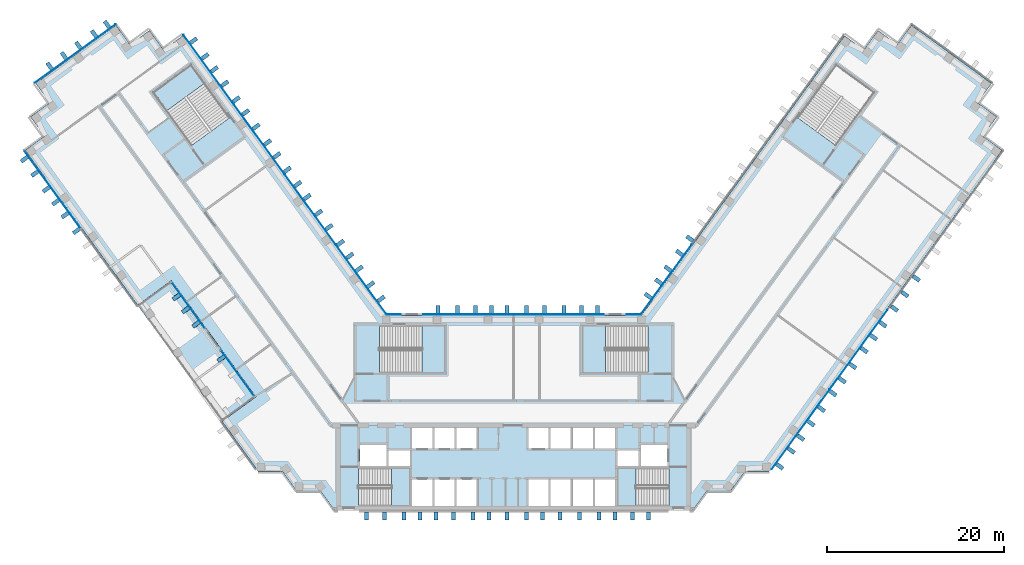
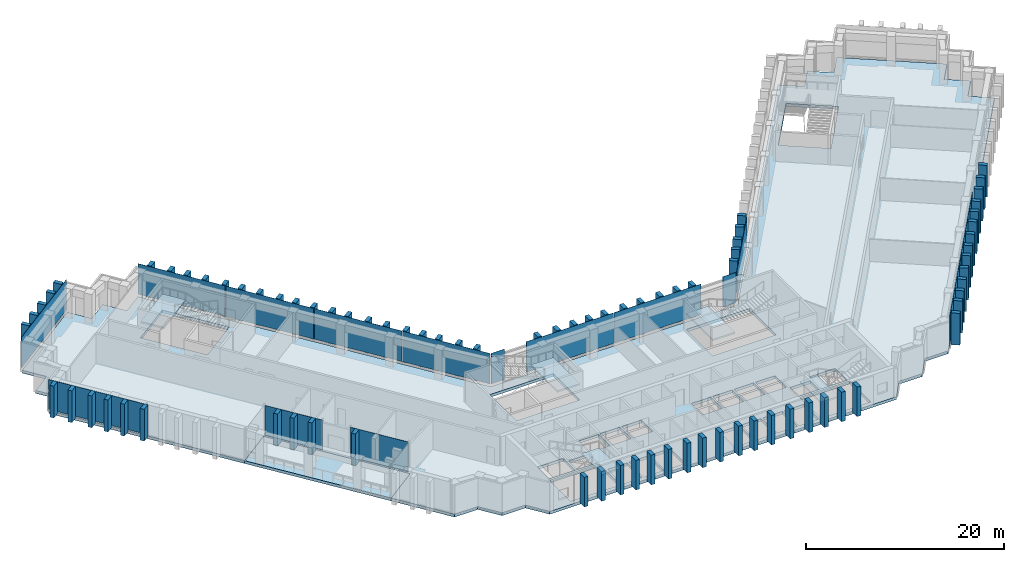
"""IFC4 building model written with IfcOpenShell, lengths in metres."""

from ifc_helpers import new_model, si_unit, direction, frame, origin, origin_2d, place, context, subcontext, project, spatial, polyline, rectangle, outline, extrude, material, layer, layer_set, type_object, element, aggregate, save


model = new_model("IFC4")

# Units and contexts
model_context = context("Model", 3, precision=1e-05, world=origin(), true_north=direction((0.0, 1.0)))
body_context = subcontext(model_context, "Body", "Model", "MODEL_VIEW")
ifc_project = project(units=[si_unit("LENGTHUNIT", "METRE"), si_unit("AREAUNIT", "SQUARE_METRE"), si_unit("VOLUMEUNIT", "CUBIC_METRE"), si_unit("PLANEANGLEUNIT", "RADIAN"), si_unit("MASSUNIT", "GRAM", prefix="KILO")], contexts=[model_context])

# Site, building, storey
site_placement = place(None, origin())
site = spatial("IfcSite", under=ifc_project, at=site_placement, CompositionType="ELEMENT")
building_placement = place(site_placement, origin())
building = spatial("IfcBuilding", under=site, at=building_placement, Name="Quipu Civic Tower", CompositionType="ELEMENT")
storey_1_placement = place(building_placement, frame((0.0, 0.0, 55.0)))
storey_1 = spatial("IfcBuildingStorey", under=building, at=storey_1_placement, Name="L12", CompositionType="ELEMENT", Elevation=55.0)

# Slab
ifc_material_1 = material(Name="Concrete C40/50", Category="concrete")
ifc_layer_1 = layer(ifc_material_1, 0.35009765625)
ifc_layer_set_1 = layer_set([ifc_layer_1], Name="Concrete C40/50")
slab_type_1 = type_object("IfcSlabType", Name="Floor slab 350 C40/50", PredefinedType="FLOOR", material=ifc_layer_set_1)
slab_1_placement = place(storey_1_placement, frame((0.0, 0.0, -0.35009765625)))
element("IfcSlab", 1, at=slab_1_placement, inside=storey_1, type_object=slab_type_1, Name="Floor slab L12", PredefinedType="FLOOR", context=body_context, shape_type="SweptSolid", body=[
    extrude(outline(polyline([(-54.514892578125, 33.389892578125), (-52.3349609375, 34.97509765625), (-53.919921875, 37.159912109375), (-44.860107421875, 43.739990234375), (-43.27001953125, 41.56005859375), (-41.0849609375, 43.14501953125), (-39.5, 40.9599609375), (-37.31494140625, 42.550048828125), (-14.39501953125, 11.0), (14.39501953125, 11.0), (37.31494140625, 42.550048828125), (39.5, 40.9599609375), (41.0849609375, 43.14501953125), (43.27001953125, 41.56005859375), (44.860107421875, 43.739990234375), (53.919921875, 37.159912109375), (52.3349609375, 34.97509765625), (54.514892578125, 33.389892578125), (52.929931640625, 31.205078125), (55.114990234375, 29.614990234375), (28.780029296875, -6.6298828125), (26.080078125, -6.6298828125), (24.489990234375, -8.81494140625), (21.7900390625, -8.81494140625), (20.205078125, -11.0), (-20.205078125, -11.0), (-21.7900390625, -8.81494140625), (-24.489990234375, -8.81494140625), (-26.080078125, -6.6298828125), (-28.780029296875, -6.6298828125), (-32.89501953125, -0.965087890625), (-29.080078125, 1.804931640625), (-38.60498046875, 14.9150390625), (-42.419921875, 12.139892578125), (-55.114990234375, 29.614990234375), (-52.929931640625, 31.205078125), (-54.514892578125, 33.389892578125)]), holes=[polyline([(-11.449951171875, -7.5), (-11.449951171875, -10.5), (-9.14990234375, -10.5), (-9.14990234375, -7.5), (-11.449951171875, -7.5)]), polyline([(-6.64990234375, -7.5), (-8.949951171875, -7.5), (-8.949951171875, -10.5), (-6.64990234375, -10.5), (-6.64990234375, -7.5)]), polyline([(-4.14990234375, -7.5), (-6.449951171875, -7.5), (-6.449951171875, -10.5), (-4.14990234375, -10.5), (-4.14990234375, -7.5)]), polyline([(1.64990234375, -7.5), (1.64990234375, -10.5), (3.949951171875, -10.5), (3.949951171875, -7.5), (1.64990234375, -7.5)]), polyline([(-11.705078125, -10.4951171875), (-11.705078125, -6.2548828125), (-17.4951171875, -6.2548828125), (-17.4951171875, -10.4951171875), (-11.705078125, -10.4951171875)]), polyline([(-11.699951171875, -4.25), (-14.10009765625, -4.25), (-14.10009765625, -6.0), (-11.699951171875, -6.0), (-11.699951171875, -4.25)]), polyline([(-17.35009765625, -3.60009765625), (-17.35009765625, -6.0), (-14.35009765625, -6.0), (-14.35009765625, -3.60009765625), (-17.35009765625, -3.60009765625)]), polyline([(-9.14990234375, -1.699951171875), (-11.449951171875, -1.699951171875), (-11.449951171875, -4.0), (-9.14990234375, -4.0), (-9.14990234375, -1.699951171875)]), polyline([(-6.64990234375, -1.699951171875), (-8.949951171875, -1.699951171875), (-8.949951171875, -4.0), (-6.64990234375, -4.0), (-6.64990234375, -1.699951171875)]), polyline([(-6.449951171875, -1.699951171875), (-6.449951171875, -4.0), (-4.14990234375, -4.0), (-4.14990234375, -1.699951171875), (-6.449951171875, -1.699951171875)]), polyline([(-7.7548828125, 4.5048828125), (-7.7548828125, 9.844970703125), (-15.14501953125, 9.844970703125), (-15.14501953125, 4.5048828125), (-7.7548828125, 4.5048828125)]), polyline([(-36.364990234375, 39.27490234375), (-40.68505859375, 36.135009765625), (-36.344970703125, 30.159912109375), (-32.02490234375, 33.300048828125), (-36.364990234375, 39.27490234375)]), polyline([(4.14990234375, -7.5), (4.14990234375, -10.5), (6.449951171875, -10.5), (6.449951171875, -7.5), (4.14990234375, -7.5)]), polyline([(8.949951171875, -7.5), (6.64990234375, -7.5), (6.64990234375, -10.5), (8.949951171875, -10.5), (8.949951171875, -7.5)]), polyline([(11.449951171875, -7.5), (9.14990234375, -7.5), (9.14990234375, -10.5), (11.449951171875, -10.5), (11.449951171875, -7.5)]), polyline([(11.705078125, -10.4951171875), (17.4951171875, -10.4951171875), (17.4951171875, -6.2548828125), (11.705078125, -6.2548828125), (11.705078125, -10.4951171875)]), polyline([(14.10009765625, -4.25), (11.699951171875, -4.25), (11.699951171875, -6.0), (14.10009765625, -6.0), (14.10009765625, -4.25)]), polyline([(17.35009765625, -3.60009765625), (14.35009765625, -3.60009765625), (14.35009765625, -6.0), (17.35009765625, -6.0), (17.35009765625, -3.60009765625)]), polyline([(1.64990234375, -1.699951171875), (1.64990234375, -4.0), (3.949951171875, -4.0), (3.949951171875, -1.699951171875), (1.64990234375, -1.699951171875)]), polyline([(6.449951171875, -1.699951171875), (4.14990234375, -1.699951171875), (4.14990234375, -4.0), (6.449951171875, -4.0), (6.449951171875, -1.699951171875)]), polyline([(8.949951171875, -1.699951171875), (6.64990234375, -1.699951171875), (6.64990234375, -4.0), (8.949951171875, -4.0), (8.949951171875, -1.699951171875)]), polyline([(9.14990234375, -1.699951171875), (9.14990234375, -4.0), (11.449951171875, -4.0), (11.449951171875, -1.699951171875), (9.14990234375, -1.699951171875)]), polyline([(7.7548828125, 9.844970703125), (7.7548828125, 4.5048828125), (15.14501953125, 4.5048828125), (15.14501953125, 9.844970703125), (7.7548828125, 9.844970703125)]), polyline([(40.68505859375, 36.135009765625), (36.364990234375, 39.27490234375), (32.02490234375, 33.300048828125), (36.344970703125, 30.159912109375), (40.68505859375, 36.135009765625)])]), origin(), (0.0, 0.0, 1.0), 0.35009765625),
])

# Curtain wall, plate
ifc_material_2 = material(Name="Insulated glass unit", Category="glass")
curtain_wall_type = type_object("IfcCurtainWallType", Name="Office curtain wall CW1", PredefinedType="NOTDEFINED", material=ifc_material_2)
curtain_wall_1_placement = place(storey_1_placement, origin())
curtain_wall_1 = element("IfcCurtainWall", 2, at=curtain_wall_1_placement, inside=storey_1, type_object=curtain_wall_type, Name="Office curtain wall CW1 L12 run 1", PredefinedType="NOTDEFINED")
ifc_material_3 = material(Name="Insulated glass unit", Category="glass")
ifc_layer_2 = layer(ifc_material_3, 0.028076171875)
ifc_layer_set_2 = layer_set([ifc_layer_2], Name="Insulated glass unit")
plate_type_1 = type_object("IfcPlateType", Name="Glass panel CW1", PredefinedType="CURTAIN_PANEL", material=ifc_layer_set_2)
plate_1_placement = place(storey_1_placement, frame((-52.038818359375, 25.21337890625, 0.240234375), z_axis=(0.0, 0.0, 1.0), x_axis=(0.587789236529, -0.809014099643, 0.0)))
plate_1 = element("IfcPlate", 3, at=plate_1_placement, type_object=plate_type_1, Name="CW1 panel 1.1", PredefinedType="CURTAIN_PANEL", context=body_context, shape_type="SweptSolid", body=[
    extrude(rectangle(XDim=10.780029296875, YDim=0.028076171875, at=origin_2d()), origin(), (0.0, 0.0, 1.0), 3.679931640625),
])
aggregate(curtain_wall_1, [plate_1])

curtain_wall_2_placement = place(storey_1_placement, origin())
curtain_wall_2 = element("IfcCurtainWall", 4, at=curtain_wall_2_placement, inside=storey_1, type_object=curtain_wall_type, Name="Office curtain wall CW1 L12 run 3", PredefinedType="NOTDEFINED")
plate_2_placement = place(storey_1_placement, frame((-36.710693359375, 12.13623046875, 0.240234375), z_axis=(0.0, 0.0, 1.0), x_axis=(0.587783041125, -0.809018600878, 0.0)))
plate_2 = element("IfcPlate", 5, at=plate_2_placement, type_object=plate_type_1, Name="CW1 panel 1.1", PredefinedType="CURTAIN_PANEL", context=body_context, shape_type="SweptSolid", body=[
    extrude(rectangle(XDim=6.3583984375, YDim=0.028076171875, at=origin_2d()), origin(), (0.0, 0.0, 1.0), 3.679931640625),
])
aggregate(curtain_wall_2, [plate_2])

curtain_wall_3_placement = place(storey_1_placement, origin())
curtain_wall_3 = element("IfcCurtainWall", 6, at=curtain_wall_3_placement, inside=storey_1, type_object=curtain_wall_type, Name="Office curtain wall CW1 L12 run 5", PredefinedType="NOTDEFINED")
plate_3_placement = place(storey_1_placement, frame((-31.1376953125, 4.465576171875, 0.240234375), z_axis=(0.0, 0.0, 1.0), x_axis=(0.58778578689, -0.809016605967, 0.0)))
plate_3 = element("IfcPlate", 7, at=plate_3_placement, type_object=plate_type_1, Name="CW1 panel 1.1", PredefinedType="CURTAIN_PANEL", context=body_context, shape_type="SweptSolid", body=[
    extrude(rectangle(XDim=6.358642578125, YDim=0.028076171875, at=origin_2d()), origin(), (0.0, 0.0, 1.0), 3.679931640625),
])
aggregate(curtain_wall_3, [plate_3])

# Storey
storey_2_placement = place(building_placement, frame((0.0, 0.0, 59.0)))
storey_2 = spatial("IfcBuildingStorey", under=building, at=storey_2_placement, Name="L13", CompositionType="ELEMENT", Elevation=59.0)

# Curtain wall, plates
curtain_wall_4_placement = place(storey_2_placement, origin())
curtain_wall_4 = element("IfcCurtainWall", 8, at=curtain_wall_4_placement, inside=storey_2, type_object=curtain_wall_type, Name="Office curtain wall CW1 L12 run 10", PredefinedType="NOTDEFINED")
plate_4_placement = place(storey_1_placement, frame((-17.224609375, 15.064697265625, 0.240234375), z_axis=(0.0, 0.0, 1.0), x_axis=(-0.587785887566, 0.809016532822, 0.0)))
plate_4 = element("IfcPlate", 9, at=plate_4_placement, inside=storey_1, type_object=plate_type_1, Name="CW1 panel 1.1", PredefinedType="CURTAIN_PANEL", context=body_context, shape_type="SweptSolid", body=[
    extrude(rectangle(XDim=9.64111328125, YDim=0.028076171875, at=origin_2d()), origin(), (0.0, 0.0, 1.0), 3.760009765625),
])
plate_5_placement = place(storey_1_placement, frame((-22.950439453125, 22.9453125, 0.240234375), z_axis=(0.0, 0.0, 1.0), x_axis=(-0.587785887566, 0.809016532822, 0.0)))
plate_5 = element("IfcPlate", 10, at=plate_5_placement, inside=storey_1, type_object=plate_type_1, Name="CW1 panel 2.1", PredefinedType="CURTAIN_PANEL", context=body_context, shape_type="SweptSolid", body=[
    extrude(rectangle(XDim=9.68115234375, YDim=0.028076171875, at=origin_2d()), origin(), (0.0, 0.0, 1.0), 3.760009765625),
])
plate_6_placement = place(storey_1_placement, frame((-28.687744140625, 30.84228515625, 0.240234375), z_axis=(0.0, 0.0, 1.0), x_axis=(-0.587785887566, 0.809016532822, 0.0)))
plate_6 = element("IfcPlate", 11, at=plate_6_placement, inside=storey_1, type_object=plate_type_1, Name="CW1 panel 3.1", PredefinedType="CURTAIN_PANEL", context=body_context, shape_type="SweptSolid", body=[
    extrude(rectangle(XDim=9.68115234375, YDim=0.028076171875, at=origin_2d()), origin(), (0.0, 0.0, 1.0), 3.760009765625),
])
plate_7_placement = place(storey_1_placement, frame((-34.413330078125, 38.722900390625, 0.240234375), z_axis=(0.0, 0.0, 1.0), x_axis=(-0.587785887566, 0.809016532822, 0.0)))
plate_7 = element("IfcPlate", 12, at=plate_7_placement, inside=storey_1, type_object=plate_type_1, Name="CW1 panel 4.1", PredefinedType="CURTAIN_PANEL", context=body_context, shape_type="SweptSolid", body=[
    extrude(rectangle(XDim=9.64111328125, YDim=0.028076171875, at=origin_2d()), origin(), (0.0, 0.0, 1.0), 3.760009765625),
])
aggregate(curtain_wall_4, [plate_4, plate_5, plate_6, plate_7])

# Curtain wall, plate
curtain_wall_5_placement = place(storey_2_placement, origin())
curtain_wall_5 = element("IfcCurtainWall", 13, at=curtain_wall_5_placement, inside=storey_2, type_object=curtain_wall_type, Name="Office curtain wall CW1 L12 run 15", PredefinedType="NOTDEFINED")
plate_8_placement = place(storey_1_placement, frame((-49.447998046875, 40.53173828125, 0.240234375), z_axis=(0.0, 0.0, 1.0), x_axis=(-0.809019348124, -0.587782012621, 0.0)))
plate_8 = element("IfcPlate", 14, at=plate_8_placement, inside=storey_1, type_object=plate_type_1, Name="CW1 panel 1.1", PredefinedType="CURTAIN_PANEL", context=body_context, shape_type="SweptSolid", body=[
    extrude(rectangle(XDim=11.239990234375, YDim=0.028076171875, at=origin_2d()), origin(), (0.0, 0.0, 1.0), 3.760009765625),
])
aggregate(curtain_wall_5, [plate_8])

# Curtain wall, plates
curtain_wall_6_placement = place(storey_2_placement, origin())
curtain_wall_6 = element("IfcCurtainWall", 15, at=curtain_wall_6_placement, inside=storey_2, type_object=curtain_wall_type, Name="Office curtain wall CW1 L12 run 26", PredefinedType="NOTDEFINED")
plate_9_placement = place(storey_1_placement, frame((32.342529296875, -1.896484375, 0.240234375), z_axis=(0.0, 0.0, 1.0), x_axis=(0.587785559869, 0.809016770908, 0.0)))
plate_9 = element("IfcPlate", 16, at=plate_9_placement, inside=storey_1, type_object=plate_type_1, Name="CW1 panel 1.1", PredefinedType="CURTAIN_PANEL", context=body_context, shape_type="SweptSolid", body=[
    extrude(rectangle(XDim=11.022705078125, YDim=0.028076171875, at=origin_2d()), origin(), (0.0, 0.0, 1.0), 3.760009765625),
])
plate_10_placement = place(storey_1_placement, frame((38.880126953125, 7.101806640625, 0.240234375), z_axis=(0.0, 0.0, 1.0), x_axis=(0.587785559869, 0.809016770908, 0.0)))
plate_10 = element("IfcPlate", 17, at=plate_10_placement, inside=storey_1, type_object=plate_type_1, Name="CW1 panel 2.1", PredefinedType="CURTAIN_PANEL", context=body_context, shape_type="SweptSolid", body=[
    extrude(rectangle(XDim=11.062744140625, YDim=0.028076171875, at=origin_2d()), origin(), (0.0, 0.0, 1.0), 3.760009765625),
])
aggregate(curtain_wall_6, [plate_9, plate_10])

# Curtain wall, plate
curtain_wall_7_placement = place(storey_2_placement, origin())
curtain_wall_7 = element("IfcCurtainWall", 18, at=curtain_wall_7_placement, inside=storey_2, type_object=curtain_wall_type, Name="Office curtain wall CW1 L12 run 36", PredefinedType="NOTDEFINED")
plate_11_placement = place(storey_1_placement, frame((17.224609375, 15.064697265625, 0.240234375), z_axis=(0.0, 0.0, 1.0), x_axis=(-0.587785887566, -0.809016532822, 0.0)))
plate_11 = element("IfcPlate", 19, at=plate_11_placement, inside=storey_1, type_object=plate_type_1, Name="CW1 panel 4.1", PredefinedType="CURTAIN_PANEL", context=body_context, shape_type="SweptSolid", body=[
    extrude(rectangle(XDim=9.64111328125, YDim=0.028076171875, at=origin_2d()), origin(), (0.0, 0.0, 1.0), 3.760009765625),
])
aggregate(curtain_wall_7, [plate_11])

curtain_wall_8_placement = place(storey_2_placement, origin())
curtain_wall_8 = element("IfcCurtainWall", 20, at=curtain_wall_8_placement, inside=storey_2, type_object=curtain_wall_type, Name="Office curtain wall CW1 L12 run 37", PredefinedType="NOTDEFINED")
plate_12_placement = place(storey_1_placement, frame((13.49951171875, 11.10009765625, 0.240234375), z_axis=(0.0, 0.0, 1.0), x_axis=(-1.0, 0.0, 0.0)))
plate_12 = element("IfcPlate", 21, at=plate_12_placement, inside=storey_1, type_object=plate_type_1, Name="CW1 panel 1.1", PredefinedType="CURTAIN_PANEL", context=body_context, shape_type="SweptSolid", body=[
    extrude(rectangle(XDim=1.529296875, YDim=0.028076171875, at=origin_2d()), origin(), (0.0, 0.0, 1.0), 3.760009765625),
])
aggregate(curtain_wall_8, [plate_12])

# Curtain wall, plates
curtain_wall_9_placement = place(storey_2_placement, origin())
curtain_wall_9 = element("IfcCurtainWall", 22, at=curtain_wall_9_placement, inside=storey_2, type_object=curtain_wall_type, Name="Office curtain wall CW1 L12 run 39", PredefinedType="NOTDEFINED")
plate_13_placement = place(storey_1_placement, frame((5.11181640625, 11.10009765625, 0.240234375), z_axis=(0.0, 0.0, 1.0), x_axis=(-1.0, 0.0, 0.0)))
plate_13 = element("IfcPlate", 23, at=plate_13_placement, inside=storey_1, type_object=plate_type_1, Name="CW1 panel 1.1", PredefinedType="CURTAIN_PANEL", context=body_context, shape_type="SweptSolid", body=[
    extrude(rectangle(XDim=10.1435546875, YDim=0.028076171875, at=origin_2d()), origin(), (0.0, 0.0, 1.0), 3.760009765625),
])
plate_14_placement = place(storey_1_placement, frame((-5.11181640625, 11.10009765625, 0.240234375), z_axis=(0.0, 0.0, 1.0), x_axis=(-1.0, 0.0, 0.0)))
plate_14 = element("IfcPlate", 24, at=plate_14_placement, inside=storey_1, type_object=plate_type_1, Name="CW1 panel 2.1", PredefinedType="CURTAIN_PANEL", context=body_context, shape_type="SweptSolid", body=[
    extrude(rectangle(XDim=10.1435546875, YDim=0.028076171875, at=origin_2d()), origin(), (0.0, 0.0, 1.0), 3.760009765625),
])
aggregate(curtain_wall_9, [plate_13, plate_14])

# Curtain wall, plate
curtain_wall_10_placement = place(storey_2_placement, origin())
curtain_wall_10 = element("IfcCurtainWall", 25, at=curtain_wall_10_placement, inside=storey_2, type_object=curtain_wall_type, Name="Office curtain wall CW1 L12 run 41", PredefinedType="NOTDEFINED")
plate_15_placement = place(storey_1_placement, frame((-13.49951171875, 11.10009765625, 0.240234375), z_axis=(0.0, 0.0, 1.0), x_axis=(-1.0, 0.0, 0.0)))
plate_15 = element("IfcPlate", 26, at=plate_15_placement, inside=storey_1, type_object=plate_type_1, Name="CW1 panel 1.1", PredefinedType="CURTAIN_PANEL", context=body_context, shape_type="SweptSolid", body=[
    extrude(rectangle(XDim=1.529296875, YDim=0.028076171875, at=origin_2d()), origin(), (0.0, 0.0, 1.0), 3.760009765625),
])
aggregate(curtain_wall_10, [plate_15])

# Plates
ifc_material_4 = material(Name="Precast concrete C40/50", Category="concrete")
plate_type_2 = type_object("IfcPlateType", Name="Precast fin F1", PredefinedType="SHEET", material=ifc_material_4)
for number, where, z_axis, x_axis, name in (
    (27, (-55.184814453125, 28.607421875, 0.080078125), (0.0, 0.0, 1.0), (0.587787897165, -0.809015072756, 0.0), "Precast fin F1 L12.1.1"),
    (28, (-54.009033203125, 26.989501953125, 0.080078125), (0.0, 0.0, 1.0), (0.587787897165, -0.809015072756, 0.0), "Precast fin F1 L12.1.2"),
    (29, (-52.716064453125, 25.20947265625, 0.080078125), (0.0, 0.0, 1.0), (0.587787897165, -0.809015072756, 0.0), "Precast fin F1 L12.1.3"),
    (30, (-51.657958984375, 23.75341796875, 0.080078125), (0.0, 0.0, 1.0), (0.587787897165, -0.809015072756, 0.0), "Precast fin F1 L12.1.4"),
    (31, (-50.60009765625, 22.297119140625, 0.080078125), (0.0, 0.0, 1.0), (0.587787897165, -0.809015072756, 0.0), "Precast fin F1 L12.1.5"),
    (32, (-49.306884765625, 20.517333984375, 0.080078125), (0.0, 0.0, 1.0), (0.587787897165, -0.809015072756, 0.0), "Precast fin F1 L12.1.6"),
    (33, (-38.057373046875, 13.05419921875, 0.080078125), (0.0, 0.0, 1.0), (0.587786610933, -0.809016007263, 0.0), "Precast fin F1 L12.3.1"),
    (34, (-36.99951171875, 11.597900390625, 0.080078125), (0.0, 0.0, 1.0), (0.587786610933, -0.809016007263, 0.0), "Precast fin F1 L12.3.2"),
    (35, (-35.823974609375, 9.97998046875, 0.080078125), (0.0, 0.0, 1.0), (0.587786610933, -0.809016007263, 0.0), "Precast fin F1 L12.3.3"),
    (36, (-33.00244140625, 6.0966796875, 0.080078125), (0.0, 0.0, 1.0), (0.587786610933, -0.809016007263, 0.0), "Precast fin F1 L12.5.1"),
    (37, (-14.942138671875, 12.8583984375, 0.080078125), (0.0, 0.0, 1.0), (-0.587784944053, 0.809017218324, 0.0), "Precast fin F1 L12.10.1"),
    (38, (-16.11767578125, 14.4765625, 0.080078125), (0.0, 0.0, 1.0), (-0.587784944053, 0.809017218324, 0.0), "Precast fin F1 L12.10.2"),
    (39, (-17.41064453125, 16.25634765625, 0.080078125), (0.0, 0.0, 1.0), (-0.587784944053, 0.809017218324, 0.0), "Precast fin F1 L12.10.3"),
    (40, (-18.46875, 17.712646484375, 0.080078125), (0.0, 0.0, 1.0), (-0.587784944053, 0.809017218324, 0.0), "Precast fin F1 L12.10.4"),
    (41, (-19.52685546875, 19.1689453125, 0.080078125), (0.0, 0.0, 1.0), (-0.587784944053, 0.809017218324, 0.0), "Precast fin F1 L12.10.5"),
    (42, (-20.81982421875, 20.94873046875, 0.080078125), (0.0, 0.0, 1.0), (-0.587784944053, 0.809017218324, 0.0), "Precast fin F1 L12.10.6"),
    (43, (-21.995361328125, 22.566650390625, 0.080078125), (0.0, 0.0, 1.0), (-0.587784944053, 0.809017218324, 0.0), "Precast fin F1 L12.10.7"),
    (44, (-23.28857421875, 24.3466796875, 0.080078125), (0.0, 0.0, 1.0), (-0.587784944053, 0.809017218324, 0.0), "Precast fin F1 L12.10.8"),
    (45, (-24.3466796875, 25.802734375, 0.080078125), (0.0, 0.0, 1.0), (-0.587784944053, 0.809017218324, 0.0), "Precast fin F1 L12.10.9"),
    (46, (-25.522216796875, 27.4208984375, 0.080078125), (0.0, 0.0, 1.0), (-0.587784944053, 0.809017218324, 0.0), "Precast fin F1 L12.10.10"),
    (47, (-26.69775390625, 29.038818359375, 0.080078125), (0.0, 0.0, 1.0), (-0.587784944053, 0.809017218324, 0.0), "Precast fin F1 L12.10.11"),
    (48, (-27.755859375, 30.4951171875, 0.080078125), (0.0, 0.0, 1.0), (-0.587784944053, 0.809017218324, 0.0), "Precast fin F1 L12.10.12"),
    (49, (-29.048828125, 32.27490234375, 0.080078125), (0.0, 0.0, 1.0), (-0.587784944053, 0.809017218324, 0.0), "Precast fin F1 L12.10.13"),
    (50, (-30.224365234375, 33.89306640625, 0.080078125), (0.0, 0.0, 1.0), (-0.587784944053, 0.809017218324, 0.0), "Precast fin F1 L12.10.14"),
    (51, (-31.282470703125, 35.34912109375, 0.080078125), (0.0, 0.0, 1.0), (-0.587784944053, 0.809017218324, 0.0), "Precast fin F1 L12.10.15"),
    (52, (-32.57568359375, 37.129150390625, 0.080078125), (0.0, 0.0, 1.0), (-0.587784944053, 0.809017218324, 0.0), "Precast fin F1 L12.10.16"),
    (53, (-33.751220703125, 38.7470703125, 0.080078125), (0.0, 0.0, 1.0), (-0.587784944053, 0.809017218324, 0.0), "Precast fin F1 L12.10.17"),
    (54, (-34.80908203125, 40.203369140625, 0.080078125), (0.0, 0.0, 1.0), (-0.587784944053, 0.809017218324, 0.0), "Precast fin F1 L12.10.18"),
    (55, (-36.102294921875, 41.983154296875, 0.080078125), (0.0, 0.0, 1.0), (-0.587784944053, 0.809017218324, 0.0), "Precast fin F1 L12.10.19"),
    (56, (-45.867919921875, 43.812744140625, 0.080078125), (0.0, 0.0, 1.0), (-0.809021318545, -0.587779300537, 0.0), "Precast fin F1 L12.15.1"),
    (57, (-47.323974609375, 42.754638671875, 0.080078125), (0.0, 0.0, 1.0), (-0.809021318545, -0.587779300537, 0.0), "Precast fin F1 L12.15.2"),
    (58, (-49.10400390625, 41.461669921875, 0.080078125), (0.0, 0.0, 1.0), (-0.809021318545, -0.587779300537, 0.0), "Precast fin F1 L12.15.3"),
    (59, (-50.721923828125, 40.2861328125, 0.080078125), (0.0, 0.0, 1.0), (-0.809021318545, -0.587779300537, 0.0), "Precast fin F1 L12.15.4"),
    (60, (-52.340087890625, 39.110595703125, 0.080078125), (0.0, 0.0, 1.0), (-0.809021318545, -0.587779300537, 0.0), "Precast fin F1 L12.15.5"),
):
    element("IfcPlate", number, at=place(storey_1_placement, frame(where, z_axis=z_axis, x_axis=x_axis)), inside=storey_1, type_object=plate_type_2, Name=name, PredefinedType="SHEET", context=body_context, shape_type="SweptSolid", body=[
        extrude(rectangle(XDim=0.449951171875, YDim=0.89990234375, at=origin_2d()), origin(), (0.0, 0.0, 1.0), 3.919921875),
    ])
for number, where, z_axis, x_axis, name in (
    (61, (-16.574951171875, -11.637939453125, 0.0), (0.0, 0.0, 1.0), (1.0, 0.0, 0.0), "Precast fin F1 L12.20.1"),
    (62, (-14.574951171875, -11.637939453125, 0.0), (0.0, 0.0, 1.0), (1.0, 0.0, 0.0), "Precast fin F1 L12.20.2"),
    (63, (-12.375, -11.637939453125, 0.0), (0.0, 0.0, 1.0), (1.0, 0.0, 0.0), "Precast fin F1 L12.20.3"),
    (64, (-10.574951171875, -11.637939453125, 0.0), (0.0, 0.0, 1.0), (1.0, 0.0, 0.0), "Precast fin F1 L12.20.4"),
    (65, (-8.77490234375, -11.637939453125, 0.0), (0.0, 0.0, 1.0), (1.0, 0.0, 0.0), "Precast fin F1 L12.20.5"),
    (66, (-6.77490234375, -11.637939453125, 0.0), (0.0, 0.0, 1.0), (1.0, 0.0, 0.0), "Precast fin F1 L12.20.6"),
    (67, (-4.574951171875, -11.637939453125, 0.0), (0.0, 0.0, 1.0), (1.0, 0.0, 0.0), "Precast fin F1 L12.20.7"),
    (68, (-2.77490234375, -11.637939453125, 0.0), (0.0, 0.0, 1.0), (1.0, 0.0, 0.0), "Precast fin F1 L12.20.8"),
    (69, (-0.77490234375, -11.637939453125, 0.0), (0.0, 0.0, 1.0), (1.0, 0.0, 0.0), "Precast fin F1 L12.20.9"),
    (70, (1.425048828125, -11.637939453125, 0.0), (0.0, 0.0, 1.0), (1.0, 0.0, 0.0), "Precast fin F1 L12.20.10"),
    (71, (3.22509765625, -11.637939453125, 0.0), (0.0, 0.0, 1.0), (1.0, 0.0, 0.0), "Precast fin F1 L12.20.11"),
    (72, (5.22509765625, -11.637939453125, 0.0), (0.0, 0.0, 1.0), (1.0, 0.0, 0.0), "Precast fin F1 L12.20.12"),
    (73, (7.425048828125, -11.637939453125, 0.0), (0.0, 0.0, 1.0), (1.0, 0.0, 0.0), "Precast fin F1 L12.20.13"),
    (74, (9.625, -11.637939453125, 0.0), (0.0, 0.0, 1.0), (1.0, 0.0, 0.0), "Precast fin F1 L12.20.14"),
    (75, (11.425048828125, -11.637939453125, 0.0), (0.0, 0.0, 1.0), (1.0, 0.0, 0.0), "Precast fin F1 L12.20.15"),
    (76, (13.425048828125, -11.637939453125, 0.0), (0.0, 0.0, 1.0), (1.0, 0.0, 0.0), "Precast fin F1 L12.20.16"),
    (77, (15.22509765625, -11.637939453125, 0.0), (0.0, 0.0, 1.0), (1.0, 0.0, 0.0), "Precast fin F1 L12.20.17"),
):
    element("IfcPlate", number, at=place(storey_1_placement, frame(where, z_axis=z_axis, x_axis=x_axis)), inside=storey_1, type_object=plate_type_2, Name=name, PredefinedType="SHEET", context=body_context, shape_type="SweptSolid", body=[
        extrude(rectangle(XDim=0.449951171875, YDim=0.89990234375, at=origin_2d()), origin(), (0.0, 0.0, 1.0), 3.64990234375),
    ])
for number, where, z_axis, x_axis, name in (
    (78, (30.014892578125, -6.03564453125, 0.080078125), (0.0, 0.0, 1.0), (0.587785716149, 0.809016657363, 0.0), "Precast fin F1 L12.26.1"),
    (79, (31.30810546875, -4.255859375, 0.080078125), (0.0, 0.0, 1.0), (0.587785716149, 0.809016657363, 0.0), "Precast fin F1 L12.26.2"),
    (80, (32.365966796875, -2.7998046875, 0.080078125), (0.0, 0.0, 1.0), (0.587785716149, 0.809016657363, 0.0), "Precast fin F1 L12.26.3"),
    (81, (33.541748046875, -1.181640625, 0.080078125), (0.0, 0.0, 1.0), (0.587785716149, 0.809016657363, 0.0), "Precast fin F1 L12.26.4"),
    (82, (34.71728515625, 0.436279296875, 0.080078125), (0.0, 0.0, 1.0), (0.587785716149, 0.809016657363, 0.0), "Precast fin F1 L12.26.5"),
    (83, (36.01025390625, 2.21630859375, 0.080078125), (0.0, 0.0, 1.0), (0.587785716149, 0.809016657363, 0.0), "Precast fin F1 L12.26.6"),
    (84, (37.068359375, 3.67236328125, 0.080078125), (0.0, 0.0, 1.0), (0.587785716149, 0.809016657363, 0.0), "Precast fin F1 L12.26.7"),
    (85, (38.243896484375, 5.29052734375, 0.080078125), (0.0, 0.0, 1.0), (0.587785716149, 0.809016657363, 0.0), "Precast fin F1 L12.26.8"),
    (86, (39.537109375, 7.0703125, 0.080078125), (0.0, 0.0, 1.0), (0.587785716149, 0.809016657363, 0.0), "Precast fin F1 L12.26.9"),
    (87, (40.594970703125, 8.526611328125, 0.080078125), (0.0, 0.0, 1.0), (0.587785716149, 0.809016657363, 0.0), "Precast fin F1 L12.26.10"),
    (88, (41.653076171875, 9.982666015625, 0.080078125), (0.0, 0.0, 1.0), (0.587785716149, 0.809016657363, 0.0), "Precast fin F1 L12.26.11"),
    (89, (42.9462890625, 11.7626953125, 0.080078125), (0.0, 0.0, 1.0), (0.587785716149, 0.809016657363, 0.0), "Precast fin F1 L12.26.12"),
    (90, (44.121826171875, 13.380615234375, 0.080078125), (0.0, 0.0, 1.0), (0.587785716149, 0.809016657363, 0.0), "Precast fin F1 L12.26.13"),
    (91, (45.414794921875, 15.160400390625, 0.080078125), (0.0, 0.0, 1.0), (0.587785716149, 0.809016657363, 0.0), "Precast fin F1 L12.26.14"),
    (92, (19.876708984375, 19.650390625, 0.080078125), (0.0, 0.0, 1.0), (-0.587784944053, -0.809017218324, 0.0), "Precast fin F1 L12.36.15"),
    (93, (18.701171875, 18.032470703125, 0.080078125), (0.0, 0.0, 1.0), (-0.587784944053, -0.809017218324, 0.0), "Precast fin F1 L12.36.16"),
    (94, (17.407958984375, 16.25244140625, 0.080078125), (0.0, 0.0, 1.0), (-0.587784944053, -0.809017218324, 0.0), "Precast fin F1 L12.36.17"),
    (95, (16.349853515625, 14.79638671875, 0.080078125), (0.0, 0.0, 1.0), (-0.587784944053, -0.809017218324, 0.0), "Precast fin F1 L12.36.18"),
    (96, (15.17431640625, 13.17822265625, 0.080078125), (0.0, 0.0, 1.0), (-0.587784944053, -0.809017218324, 0.0), "Precast fin F1 L12.36.19"),
    (97, (9.47509765625, 11.64990234375, 0.080078125), (0.0, 0.0, 1.0), (-1.0, 0.0, 0.0), "Precast fin F1 L12.39.1"),
    (98, (7.675048828125, 11.64990234375, 0.080078125), (0.0, 0.0, 1.0), (-1.0, 0.0, 0.0), "Precast fin F1 L12.39.2"),
    (99, (5.675048828125, 11.64990234375, 0.080078125), (0.0, 0.0, 1.0), (-1.0, 0.0, 0.0), "Precast fin F1 L12.39.3"),
    (100, (3.47509765625, 11.64990234375, 0.080078125), (0.0, 0.0, 1.0), (-1.0, 0.0, 0.0), "Precast fin F1 L12.39.4"),
    (101, (1.47509765625, 11.64990234375, 0.080078125), (0.0, 0.0, 1.0), (-1.0, 0.0, 0.0), "Precast fin F1 L12.39.5"),
    (102, (-0.72509765625, 11.64990234375, 0.080078125), (0.0, 0.0, 1.0), (-1.0, 0.0, 0.0), "Precast fin F1 L12.39.6"),
    (103, (-2.52490234375, 11.64990234375, 0.080078125), (0.0, 0.0, 1.0), (-1.0, 0.0, 0.0), "Precast fin F1 L12.39.7"),
    (104, (-4.324951171875, 11.64990234375, 0.080078125), (0.0, 0.0, 1.0), (-1.0, 0.0, 0.0), "Precast fin F1 L12.39.8"),
    (105, (-6.324951171875, 11.64990234375, 0.080078125), (0.0, 0.0, 1.0), (-1.0, 0.0, 0.0), "Precast fin F1 L12.39.9"),
    (106, (-8.52490234375, 11.64990234375, 0.080078125), (0.0, 0.0, 1.0), (-1.0, 0.0, 0.0), "Precast fin F1 L12.39.10"),
):
    element("IfcPlate", number, at=place(storey_1_placement, frame(where, z_axis=z_axis, x_axis=x_axis)), inside=storey_1, type_object=plate_type_2, Name=name, PredefinedType="SHEET", context=body_context, shape_type="SweptSolid", body=[
        extrude(rectangle(XDim=0.449951171875, YDim=0.89990234375, at=origin_2d()), origin(), (0.0, 0.0, 1.0), 3.919921875),
    ])

# Stair, slab
ifc_material_5 = material(Name="Concrete C40/50", Category="concrete")
stair_type_1 = type_object("IfcStairType", Name="Half turn stair 2000", PredefinedType="HALF_TURN_STAIR", material=ifc_material_5)
stair_1_placement = place(storey_1_placement, origin())
stair_1 = element("IfcStair", 107, at=stair_1_placement, inside=storey_1, type_object=stair_type_1, Name="Exit stair 1", PredefinedType="HALF_TURN_STAIR")
ifc_material_6 = material(Name="Concrete C40/50", Category="concrete")
ifc_layer_3 = layer(ifc_material_6, 0.199951171875)
ifc_layer_set_3 = layer_set([ifc_layer_3], Name="Concrete C40/50")
slab_type_2 = type_object("IfcSlabType", Name="Stair landing 200", PredefinedType="LANDING", material=ifc_layer_set_3)
slab_2_placement = place(storey_1_placement, frame((0.0, 0.0, 1.800048828125)))
slab_2 = element("IfcSlab", 108, at=slab_2_placement, type_object=slab_type_2, Name="ST-1 landing 1", PredefinedType="LANDING", context=body_context, shape_type="SweptSolid", body=[
    extrude(outline(polyline([(-13.780029296875, -10.5), (-11.699951171875, -10.5), (-11.699951171875, -6.25), (-13.780029296875, -6.25), (-13.780029296875, -10.5)])), origin(), (0.0, 0.0, 1.0), 0.199951171875),
])
aggregate(stair_1, [slab_2])

stair_2_placement = place(storey_1_placement, origin())
stair_2 = element("IfcStair", 109, at=stair_2_placement, inside=storey_1, type_object=stair_type_1, Name="Exit stair 2", PredefinedType="HALF_TURN_STAIR")
slab_3_placement = place(storey_1_placement, frame((0.0, 0.0, 1.800048828125)))
slab_3 = element("IfcSlab", 110, at=slab_3_placement, type_object=slab_type_2, Name="ST-2 landing 1", PredefinedType="LANDING", context=body_context, shape_type="SweptSolid", body=[
    extrude(outline(polyline([(13.780029296875, -6.25), (11.699951171875, -6.25), (11.699951171875, -10.5), (13.780029296875, -10.5), (13.780029296875, -6.25)])), origin(), (0.0, 0.0, 1.0), 0.199951171875),
])
aggregate(stair_2, [slab_3])

ifc_material_7 = material(Name="Concrete C40/50", Category="concrete")
stair_type_2 = type_object("IfcStairType", Name="Half turn stair 2600", PredefinedType="HALF_TURN_STAIR", material=ifc_material_7)
stair_3_placement = place(storey_1_placement, origin())
stair_3 = element("IfcStair", 111, at=stair_3_placement, inside=storey_1, type_object=stair_type_2, Name="Exit stair 3", PredefinedType="HALF_TURN_STAIR")
slab_4_placement = place(storey_1_placement, frame((0.0, 0.0, 1.800048828125)))
slab_4 = element("IfcSlab", 112, at=slab_4_placement, type_object=slab_type_2, Name="ST-3 landing 1", PredefinedType="LANDING", context=body_context, shape_type="SweptSolid", body=[
    extrude(outline(polyline([(-10.35009765625, 4.5), (-7.75, 4.5), (-7.75, 9.85009765625), (-10.35009765625, 9.85009765625), (-10.35009765625, 4.5)])), origin(), (0.0, 0.0, 1.0), 0.199951171875),
])
aggregate(stair_3, [slab_4])

stair_4_placement = place(storey_1_placement, origin())
stair_4 = element("IfcStair", 113, at=stair_4_placement, inside=storey_1, type_object=stair_type_2, Name="Exit stair 4", PredefinedType="HALF_TURN_STAIR")
slab_5_placement = place(storey_1_placement, frame((0.0, 0.0, 1.800048828125)))
slab_5 = element("IfcSlab", 114, at=slab_5_placement, type_object=slab_type_2, Name="ST-4 landing 1", PredefinedType="LANDING", context=body_context, shape_type="SweptSolid", body=[
    extrude(outline(polyline([(10.35009765625, 9.85009765625), (7.75, 9.85009765625), (7.75, 4.5), (10.35009765625, 4.5), (10.35009765625, 9.85009765625)])), origin(), (0.0, 0.0, 1.0), 0.199951171875),
])
aggregate(stair_4, [slab_5])

stair_5_placement = place(storey_1_placement, origin())
stair_5 = element("IfcStair", 115, at=stair_5_placement, inside=storey_1, type_object=stair_type_2, Name="Exit stair 6", PredefinedType="HALF_TURN_STAIR")
slab_6_placement = place(storey_1_placement, frame((0.0, 0.0, 1.800048828125)))
slab_6 = element("IfcSlab", 116, at=slab_6_placement, type_object=slab_type_2, Name="ST-6 landing 1", PredefinedType="LANDING", context=body_context, shape_type="SweptSolid", body=[
    extrude(outline(polyline([(-34.837158203125, 37.179443359375), (-36.365478515625, 39.282958984375), (-40.69384765625, 36.138427734375), (-39.16552734375, 34.034912109375), (-34.837158203125, 37.179443359375)])), origin(), (0.0, 0.0, 1.0), 0.199951171875),
])
aggregate(stair_5, [slab_6])

# Slab
ifc_material_8 = material(Name="Concrete C40/50", Category="concrete")
ifc_layer_4 = layer(ifc_material_8, 0.35009765625)
ifc_layer_set_4 = layer_set([ifc_layer_4], Name="Concrete C40/50")
slab_type_3 = type_object("IfcSlabType", Name="Terrace slab 350 C40/50", PredefinedType="FLOOR", material=ifc_layer_set_4)
slab_7_placement = place(storey_1_placement, frame((0.0, 0.0, -0.35009765625)))
element("IfcSlab", 117, at=slab_7_placement, inside=storey_1, type_object=slab_type_3, Name="Terrace slab L12", PredefinedType="FLOOR", context=body_context, shape_type="SweptSolid", body=[
    extrude(outline(polyline([(-38.60498046875, 14.9150390625), (-29.080078125, 1.804931640625), (-32.89501953125, -0.965087890625), (-42.419921875, 12.139892578125), (-38.60498046875, 14.9150390625)])), origin(), (0.0, 0.0, 1.0), 0.35009765625),
])

save(model, "model.ifc")
